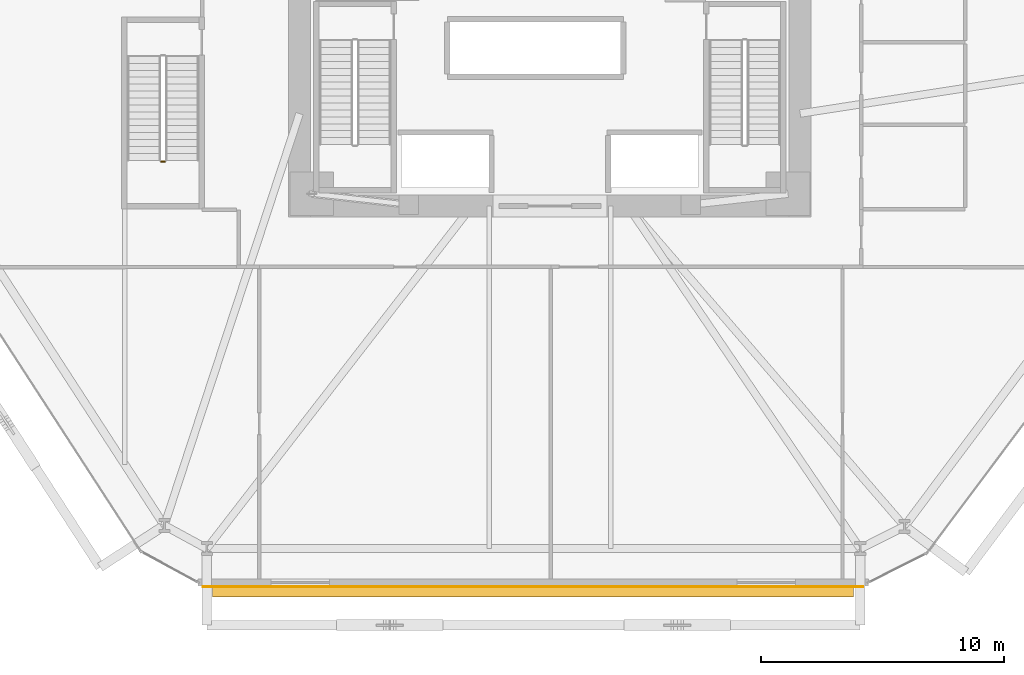
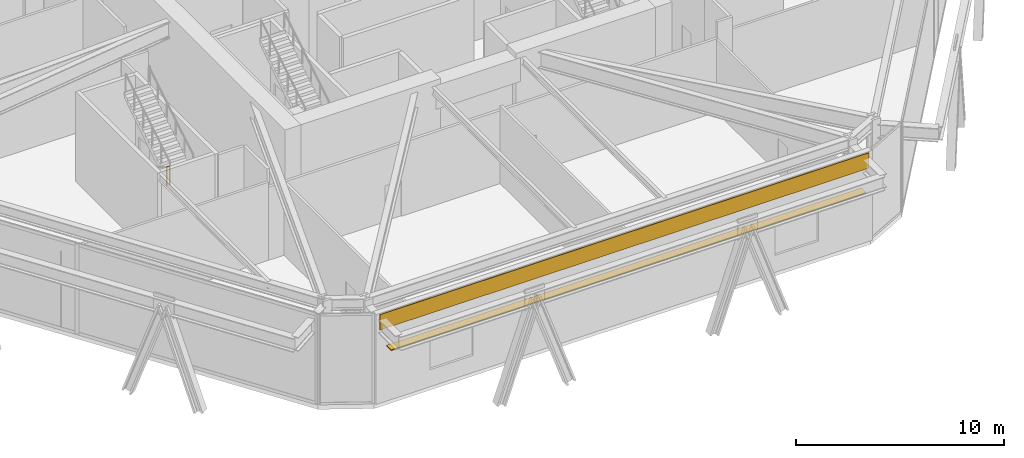
# One storey, part 21 of 23: 1 covering, 1 railing, 1 shading device.
"""IFC4 building model written with IfcOpenShell, lengths in metres."""

import ifcopenshell
import ifcopenshell.guid

model = None  # the IFC model being written
_history = None  # IfcOwnerHistory: only IFC2X3 demands one
_inside = {}  # id of a spatial element -> (the spatial element, [elements in it])
_under = {}  # id of a project, library or spatial element -> (it, [spatial elements below it])
_declared = {}  # id of a project -> (the project, [libraries it declares])
_typed = {}  # id of a type object -> (the type object, [elements of that type])
_made_of = {}  # id of a material, layer set ... -> (it, [elements and type objects made of it])


def new_model(schema):
    """Start an empty IFC model of exactly this schema.

    Asked for "IFC4X3", IfcOpenShell would pick the latest addendum, in which some entities
    have other attributes; the version numbers below select the first issue.
    IFC2X3 requires an IfcOwnerHistory on every rooted entity: one is made here for all.
    """
    global model, _history
    if schema == "IFC4X3":
        model = ifcopenshell.file(schema_version=(4, 3, 0, 0))
    else:
        model = ifcopenshell.file(schema=schema)
    _inside.clear()
    _under.clear()
    _declared.clear()
    _typed.clear()
    _made_of.clear()
    _history = None
    if model.schema == "IFC2X3":
        org = make("IfcOrganization", Name="unknown")
        user = make(
            "IfcPersonAndOrganization",
            ThePerson=make("IfcPerson", FamilyName="unknown"),
            TheOrganization=org,
        )
        app = make(
            "IfcApplication",
            ApplicationDeveloper=org,
            Version="unknown",
            ApplicationFullName="unknown",
            ApplicationIdentifier="unknown",
        )
        _history = make(
            "IfcOwnerHistory",
            OwningUser=user,
            OwningApplication=app,
            ChangeAction="ADDED",
            CreationDate=0,
        )
    return model


def make(cls, **values):
    """One entity of the class cls with the attributes given. An attribute that is None is left unset."""
    return model.create_entity(
        cls, **{name: value for name, value in values.items() if value is not None}
    )


def rooted(cls, **values):
    """An entity with a GlobalId (a new one), such as an element, a storey or a relation."""
    return make(cls, GlobalId=ifcopenshell.guid.new(), OwnerHistory=_history, **values)


def si_unit(unit_type, name, prefix=None):
    """IfcSIUnit, for example si_unit("LENGTHUNIT", "METRE", prefix="MILLI")."""
    return make("IfcSIUnit", UnitType=unit_type, Prefix=prefix, Name=name)


def assignment(units):
    """IfcUnitAssignment: the units of a project."""
    return None if units is None else make("IfcUnitAssignment", Units=units)


def point(xyz):
    """IfcCartesianPoint."""
    return None if xyz is None else make("IfcCartesianPoint", Coordinates=xyz)


def direction(xyz):
    """IfcDirection."""
    return None if xyz is None else make("IfcDirection", DirectionRatios=xyz)


def frame(location, z_axis=None, x_axis=None):
    """IfcAxis2Placement3D, a coordinate frame: its origin and axes. An axis left out is left unset."""
    return make(
        "IfcAxis2Placement3D",
        Location=point(location),
        Axis=direction(z_axis),
        RefDirection=direction(x_axis),
    )


def frame_2d(location, x_axis=None):
    """IfcAxis2Placement2D, a coordinate frame in the plane: its origin and x axis."""
    return make(
        "IfcAxis2Placement2D", Location=point(location), RefDirection=direction(x_axis)
    )


def origin():
    """The frame at (0, 0, 0) with its axes left unset."""
    return frame((0.0, 0.0, 0.0))


def origin_2d():
    """The frame at (0, 0) in the plane with its x axis left unset."""
    return frame_2d((0.0, 0.0))


def place(relative_to, where):
    """IfcLocalPlacement: puts the frame where relative to a parent placement (None: the world)."""
    return make(
        "IfcLocalPlacement", PlacementRelTo=relative_to, RelativePlacement=where
    )


def context(
    kind, dimensions, precision=None, world=None, true_north=None, identifier=None
):
    """IfcGeometricRepresentationContext, for example the 3D "Model" context."""
    return make(
        "IfcGeometricRepresentationContext",
        ContextIdentifier=identifier,
        ContextType=kind,
        CoordinateSpaceDimension=dimensions,
        Precision=precision,
        WorldCoordinateSystem=world,
        TrueNorth=true_north,
    )


def subcontext(parent, identifier, kind, view, scale=None):
    """IfcGeometricRepresentationSubContext, for example "Body" below "Model"."""
    return make(
        "IfcGeometricRepresentationSubContext",
        ContextIdentifier=identifier,
        ContextType=kind,
        ParentContext=parent,
        TargetScale=scale,
        TargetView=view,
    )


def project(units=None, contexts=None):
    """IfcProject with its units and contexts."""
    return rooted(
        "IfcProject",
        Name="project",
        RepresentationContexts=contexts,
        UnitsInContext=assignment(units),
    )


def spatial(cls, under=None, at=None, **own):
    """A site, building, storey or space (cls), placed at a placement, below another one or the project."""
    s = rooted(cls, ObjectPlacement=at, **own)
    if under is not None:
        _under.setdefault(under.id(), (under, []))[1].append(s)
    return s


def profile(cls, at=None, kind="AREA", **sizes):
    """A parametric profile (cls). Its sizes go by their IFC names, for example OverallWidth=200.0."""
    return make(cls, ProfileType=kind, Position=at, **sizes)


def rectangle(**sizes):
    """IfcRectangleProfileDef."""
    return profile("IfcRectangleProfileDef", **sizes)


def circle(**sizes):
    """IfcCircleProfileDef."""
    return profile("IfcCircleProfileDef", **sizes)


def extrude(swept, where, along, depth):
    """IfcExtrudedAreaSolid: the profile swept, set in the frame where, extruded along a direction by depth."""
    return make(
        "IfcExtrudedAreaSolid",
        SweptArea=swept,
        Position=where,
        ExtrudedDirection=direction(along),
        Depth=depth,
    )


def shape(context_of_items, identifier, shape_type, items):
    """IfcShapeRepresentation: the items that make up one representation, for example the "Body"."""
    return make(
        "IfcShapeRepresentation",
        ContextOfItems=context_of_items,
        RepresentationIdentifier=identifier,
        RepresentationType=shape_type,
        Items=items,
    )


def source(mapping_origin, context_of_items, identifier, shape_type, items):
    """IfcRepresentationMap: a shape defined once, which mapped items show again and again."""
    return make(
        "IfcRepresentationMap",
        MappingOrigin=mapping_origin,
        MappedRepresentation=shape(context_of_items, identifier, shape_type, items),
    )


def transform(
    local_origin,
    x_axis=None,
    y_axis=None,
    z_axis=None,
    scale=None,
    scale2=None,
    scale3=None,
    uniform=True,
):
    """IfcCartesianTransformationOperator3D, or its non-uniform kind. x_axis, y_axis, z_axis: its Axis1, 2, 3."""
    if uniform:
        return make(
            "IfcCartesianTransformationOperator3D",
            Axis1=direction(x_axis),
            Axis2=direction(y_axis),
            LocalOrigin=point(local_origin),
            Scale=scale,
            Axis3=direction(z_axis),
        )
    return make(
        "IfcCartesianTransformationOperator3DnonUniform",
        Axis1=direction(x_axis),
        Axis2=direction(y_axis),
        LocalOrigin=point(local_origin),
        Scale=scale,
        Axis3=direction(z_axis),
        Scale2=scale2,
        Scale3=scale3,
    )


def mapped(mapping_source, mapping_target):
    """IfcMappedItem: shows the shape of a source again, moved by a transform."""
    return make(
        "IfcMappedItem", MappingSource=mapping_source, MappingTarget=mapping_target
    )


def material(Name=None, Category=None):
    """IfcMaterial."""
    return make("IfcMaterial", Name=Name, Category=Category)


def layer(
    of_material, thickness, ventilated=None, Name=None, Category=None, Priority=None
):
    """IfcMaterialLayer: one layer of a wall or slab, of a material (None: an air gap)."""
    return make(
        "IfcMaterialLayer",
        Material=of_material,
        LayerThickness=thickness,
        IsVentilated=ventilated,
        Name=Name,
        Category=Category,
        Priority=Priority,
    )


def layer_set(layers, Name=None):
    """IfcMaterialLayerSet."""
    return make("IfcMaterialLayerSet", MaterialLayers=layers, LayerSetName=Name)


def made_of(thing, what):
    """Note that an element or type object is made of a material, layer set ...; save() writes the relation."""
    if what is not None:
        _made_of.setdefault(what.id(), (what, []))[1].append(thing)
    return thing


def type_object(cls, material=None, **own):
    """A type object (cls), such as IfcWallType, which elements share."""
    return made_of(rooted(cls, **own), material)


def type_shapes(of_type, sources):
    """Give a type object the sources (RepresentationMaps) that its elements show as mapped items."""
    of_type.RepresentationMaps = sources


def element(
    cls,
    number,
    at=None,
    inside=None,
    cuts=None,
    type_object=None,
    material=None,
    context=None,
    identifier="Body",
    shape_type=None,
    held_by="IfcProductDefinitionShape",
    body=None,
    shapes=None,
    **own,
):
    """One element of the class cls, such as IfcWall. Its Tag is "e" and its number.

    at: its placement. inside: the storey or other place that contains it. cuts: it is an
    opening in that element (IfcRelVoidsElement). A single representation is given by context,
    identifier, shape_type and body (its items); several are given by shapes. held_by: the class
    of the entity that holds the representations. save() writes the other relations.
    """
    e = rooted(cls, Tag="e%d" % number, ObjectPlacement=at, **own)
    if body is not None:
        shapes = [shape(context, identifier, shape_type, body)]
    if shapes is not None:
        e.Representation = make(held_by, Representations=shapes)
    if inside is not None:
        _inside.setdefault(inside.id(), (inside, []))[1].append(e)
    if cuts is not None:
        rooted(
            "IfcRelVoidsElement", RelatingBuildingElement=cuts, RelatedOpeningElement=e
        )
    if type_object is not None:
        _typed.setdefault(type_object.id(), (type_object, []))[1].append(e)
    return made_of(e, material)


def aggregate(whole, parts):
    """IfcRelAggregates: a whole, such as a stair, and the parts it consists of."""
    return rooted("IfcRelAggregates", RelatingObject=whole, RelatedObjects=parts)


def save(model, path):
    """Write the relations noted so far, then the file.

    IfcRelAggregates (storeys below a building ...), IfcRelContainedInSpatialStructure (elements
    in a storey), IfcRelDefinesByType, IfcRelAssociatesMaterial and IfcRelDeclares: one each for
    every whole, place, type object, material and project.
    """
    for whole, parts in _under.values():
        aggregate(whole, parts)
    for where, things in _inside.values():
        rooted(
            "IfcRelContainedInSpatialStructure",
            RelatedElements=things,
            RelatingStructure=where,
        )
    for kind, things in _typed.values():
        rooted("IfcRelDefinesByType", RelatedObjects=things, RelatingType=kind)
    for what, things in _made_of.values():
        rooted("IfcRelAssociatesMaterial", RelatedObjects=things, RelatingMaterial=what)
    for by, libraries in _declared.values():
        rooted("IfcRelDeclares", RelatingContext=by, RelatedDefinitions=libraries)
    model.write(path)


model = new_model("IFC4")

# Units and contexts
model_context = context("Model", 3, precision=1e-05, world=origin(), true_north=direction((0.0, 1.0)))
body_context = subcontext(model_context, "Body", "Model", "MODEL_VIEW")
ifc_project = project(units=[si_unit("LENGTHUNIT", "METRE"), si_unit("AREAUNIT", "SQUARE_METRE"), si_unit("VOLUMEUNIT", "CUBIC_METRE"), si_unit("PLANEANGLEUNIT", "RADIAN"), si_unit("MASSUNIT", "GRAM", prefix="KILO")], contexts=[model_context])

# Site, building, storey
site_placement = place(None, origin())
site = spatial("IfcSite", under=ifc_project, at=site_placement, CompositionType="ELEMENT")
building_placement = place(site_placement, origin())
building = spatial("IfcBuilding", under=site, at=building_placement, Name="Durnholm Broadcast Tower", CompositionType="ELEMENT")
storey_placement = place(building_placement, frame((0.0, 0.0, 21.199951171875)))
storey = spatial("IfcBuildingStorey", under=building, at=storey_placement, Name="L04", CompositionType="ELEMENT", Elevation=21.199951171875)

# Railing
ifc_material_1 = material(Name="Painted Tubular Steel Stair Guardrail", Category="steel")
railing_type = type_object("IfcRailingType", Name="RAIL-ST-GRD", PredefinedType="GUARDRAIL", material=ifc_material_1)
railing_placement = place(storey_placement, frame((-16.0, -6.47509765625, 2.800048828125)))
element("IfcRailing", 1, at=railing_placement, inside=storey, type_object=railing_type, Name="L04 ST-4 stair guard 2", PredefinedType="GUARDRAIL", context=body_context, shape_type="SweptSolid", body=[
    extrude(circle(Radius=0.02392578125, at=origin_2d()), frame((0.0, 0.0, 1.076171875), z_axis=(1.0, 0.0, 0.0), x_axis=(0.0, 1.0, 0.0)), (0.0, 0.0, 1.0), 0.159912109375),
    extrude(circle(Radius=0.02099609375, at=origin_2d()), origin(), (0.0, 0.0, 1.0), 1.052001953125),
    extrude(circle(Radius=0.02099609375, at=origin_2d()), frame((0.159912109375, 0.0, 0.0)), (0.0, 0.0, 1.0), 1.052001953125),
])

# Covering
ifc_material_2 = material(Name="Anodised Aluminium Spandrel Cladding", Category="aluminium")
ifc_layer_1 = layer(ifc_material_2, 0.0400390625)
ifc_layer_set_1 = layer_set([ifc_layer_1], Name="Anodised Aluminium Spandrel Cladding")
covering_type = type_object("IfcCoveringType", Name="COV-EXT-CLAD", PredefinedType="CLADDING", material=ifc_layer_set_1)
shared_shape_1 = source(origin(), body_context, "Body", "SweptSolid", [
    extrude(rectangle(XDim=27.177978515625, YDim=0.0400390625, at=origin_2d()), origin(), (0.0, 0.0, 1.0), 0.89990234375),
])
type_shapes(covering_type, [shared_shape_1])
covering_placement = place(storey_placement, frame((-0.68603515625, -23.969970703125, 4.330078125), z_axis=(0.0, 0.0, 1.0), x_axis=(-1.0, 0.0, 0.0)))
element("IfcCovering", 2, at=covering_placement, inside=storey, type_object=covering_type, Name="L04 podium spandrel metal cladding 10", PredefinedType="CLADDING", context=body_context, shape_type="MappedRepresentation", body=[
    mapped(shared_shape_1, transform((0.0, 0.0, 0.0), x_axis=(1.0, 0.0, 0.0), y_axis=(0.0, 1.0, 0.0), z_axis=(0.0, 0.0, 1.0), scale=1.0)),
])

# Shading device
ifc_material_3 = material(Name="Extruded Aluminium Sunshade Fin", Category="aluminium")
ifc_layer_2 = layer(ifc_material_3, 0.06005859375)
ifc_layer_set_2 = layer_set([ifc_layer_2], Name="Extruded Aluminium Sunshade Fin")
shading_device_type = type_object("IfcShadingDeviceType", Name="SHD-SUN-BLADE", PredefinedType="JALOUSIE", material=ifc_layer_set_2)
shared_shape_2 = source(origin(), body_context, "Body", "SweptSolid", [
    extrude(rectangle(XDim=26.3779296875, YDim=0.449951171875, at=origin_2d()), origin(), (0.0, 0.0, 1.0), 0.06005859375),
])
type_shapes(shading_device_type, [shared_shape_2])
shading_device_placement = place(storey_placement, frame((-0.68603515625, -24.169921875, 3.219970703125), z_axis=(0.0, 0.0, 1.0), x_axis=(-1.0, 0.0, 0.0)))
element("IfcShadingDevice", 3, at=shading_device_placement, inside=storey, type_object=shading_device_type, Name="L04 studio horizontal solar sunshade 10", PredefinedType="JALOUSIE", context=body_context, shape_type="MappedRepresentation", body=[
    mapped(shared_shape_2, transform((0.0, 0.0, 0.0), x_axis=(1.0, 0.0, 0.0), y_axis=(0.0, 1.0, 0.0), z_axis=(0.0, 0.0, 1.0), scale=1.0)),
])

save(model, "model.ifc")
